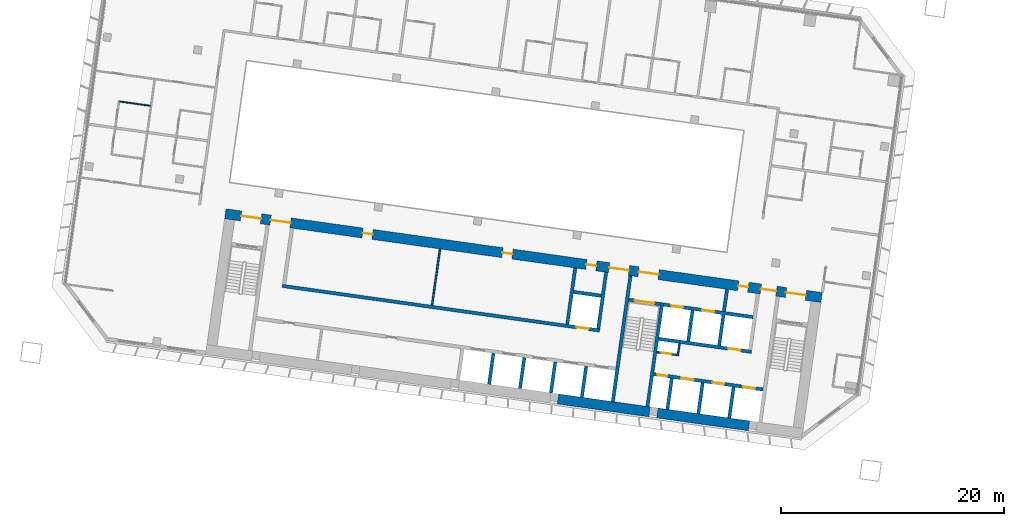
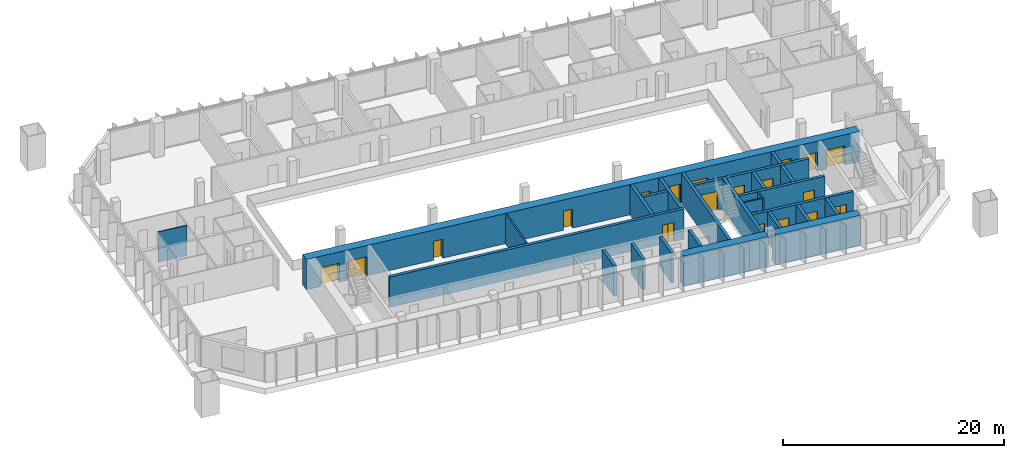
# One storey, part 15 of 24: 27 walls, 20 doors, 20 openings.
"""IFC4 building model written with IfcOpenShell, lengths in metres."""

from ifc_helpers import new_model, si_unit, direction, frame, frame_2d, origin, place, context, subcontext, project, spatial, rectangle, extrude, material, layer, layer_set, type_object, element, fill, save


model = new_model("IFC4")

# Units and contexts
model_context = context("Model", 3, precision=1e-05, world=origin(), true_north=direction((0.0, 1.0)))
body_context = subcontext(model_context, "Body", "Model", "MODEL_VIEW")
ifc_project = project(units=[si_unit("LENGTHUNIT", "METRE"), si_unit("AREAUNIT", "SQUARE_METRE"), si_unit("VOLUMEUNIT", "CUBIC_METRE"), si_unit("PLANEANGLEUNIT", "RADIAN"), si_unit("MASSUNIT", "GRAM", prefix="KILO")], contexts=[model_context])

# Site, building, storey
site_placement = place(None, origin())
site = spatial("IfcSite", under=ifc_project, at=site_placement, CompositionType="ELEMENT")
building_placement = place(site_placement, origin())
building = spatial("IfcBuilding", under=site, at=building_placement, Name="Mirante Cascada Hotel Towers", CompositionType="ELEMENT")
storey_placement = place(building_placement, frame((0.0, 0.0, 47.1)))
storey = spatial("IfcBuildingStorey", under=building, at=storey_placement, Name="L08", CompositionType="ELEMENT", Elevation=47.1)

# Wall
ifc_material_1 = material(Name="Masonry block", Category="masonry")
ifc_layer_1 = layer(ifc_material_1, 0.15)
ifc_layer_set_1 = layer_set([ifc_layer_1], Name="Core room partition 150 block EI 30")
wall_type_1 = type_object("IfcWallType", Name="Core room partition 150 block EI 30", PredefinedType="PARTITIONING", material=ifc_layer_set_1)
wall_1_placement = place(storey_placement, frame((-48.2295, -12.793, 0.0), z_axis=(0.0, 0.0, 1.0), x_axis=(0.1391935, 0.9902652, 0.0)))
element("IfcWall", 1, at=wall_1_placement, inside=storey, type_object=wall_type_1, Name="Core wall partition T1 L08 2", PredefinedType="PARTITIONING", context=body_context, shape_type="SweptSolid", body=[
    extrude(rectangle(XDim=1.1251, YDim=0.15, at=frame_2d((0.5626, 0.0))), origin(), (0.0, 0.0, 1.0), 3.35),
])

# Wall, opening, door
wall_2_placement = place(storey_placement, frame((-48.2933, -12.7083, 0.0), z_axis=(0.0, 0.0, 1.0), x_axis=(-0.990268, 0.1391734, 0.0)))
wall_2 = element("IfcWall", 2, at=wall_2_placement, inside=storey, type_object=wall_type_1, Name="Core wall partition T1 L08 3", PredefinedType="PARTITIONING", context=body_context, shape_type="SweptSolid", body=[
    extrude(rectangle(XDim=1.8251, YDim=0.15, at=frame_2d((0.9126, 0.0))), origin(), (0.0, 0.0, 1.0), 3.35),
])
opening_1_placement = place(wall_2_placement, frame((0.4625, 0.0, 0.0)))
opening_1 = element("IfcOpeningElement", 3, at=opening_1_placement, cuts=wall_2, Name="Opening D1-08-C23", PredefinedType="OPENING", context=body_context, shape_type="SweptSolid", body=[
    extrude(rectangle(XDim=0.9, YDim=2.1, at=frame_2d((0.45, 1.05))), frame((0.0, 0.075, 0.0), z_axis=(0.0, -1.0, 0.0), x_axis=(1.0, 0.0, 0.0)), (0.0, 0.0, 1.0), 0.15),
])
ifc_material_2 = material(Name="Hollow metal fire door leaf")
door_type_1 = type_object("IfcDoorType", Name="Fire door 900x2100 FD60", OperationType="NOTDEFINED", PredefinedType="DOOR", material=ifc_material_2)
door_1_placement = place(opening_1_placement, origin())
door_1 = element("IfcDoor", 4, at=door_1_placement, inside=storey, type_object=door_type_1, Name="Riser door T1 L08 23", OperationType="SINGLE_SWING_LEFT", OverallHeight=2.1, OverallWidth=0.9, PredefinedType="DOOR", context=body_context, shape_type="SweptSolid", body=[
    extrude(rectangle(XDim=0.9, YDim=2.1, at=frame_2d((0.45, 1.05))), frame((0.0, 0.025, 0.0), z_axis=(0.0, -1.0, 0.0), x_axis=(1.0, 0.0, 0.0)), (0.0, 0.0, 1.0), 0.05),
])
fill(opening_1, door_1)

# Walls
wall_3_placement = place(storey_placement, frame((-70.2627, -8.2574, 0.0), z_axis=(0.0, 0.0, 1.0), x_axis=(0.1391755, 0.9902677, 0.0)))
element("IfcWall", 5, at=wall_3_placement, inside=storey, type_object=wall_type_1, Name="Core wall partition T1 L08 5", PredefinedType="PARTITIONING", context=body_context, shape_type="SweptSolid", body=[
    extrude(rectangle(XDim=5.1, YDim=0.15, at=frame_2d((2.55, 0.0))), origin(), (0.0, 0.0, 1.0), 3.35),
])
ifc_material_3 = material(Name="Masonry block", Category="masonry")
ifc_layer_2 = layer(ifc_material_3, 0.3)
ifc_layer_set_2 = layer_set([ifc_layer_2], Name="Core wall 300 block EI 120")
wall_type_2 = type_object("IfcWallType", Name="Core wall 300 block EI 120", PredefinedType="PARTITIONING", material=ifc_layer_set_2)
wall_4_placement = place(storey_placement, frame((-44.0843, -8.8061, 0.0), z_axis=(0.0, 0.0, 1.0), x_axis=(0.1391951, 0.990265, 0.0)))
element("IfcWall", 6, at=wall_4_placement, inside=storey, type_object=wall_type_2, Name="Core wall partition T1 L08 1", PredefinedType="PARTITIONING", context=body_context, shape_type="SweptSolid", body=[
    extrude(rectangle(XDim=2.0001, YDim=0.3, at=frame_2d((1.0001, 0.0))), origin(), (0.0, 0.0, 1.0), 3.35),
])
ifc_material_4 = material(Name="Plasterboard on metal studs")
ifc_layer_3 = layer(ifc_material_4, 0.1)
ifc_layer_set_3 = layer_set([ifc_layer_3], Name="Partition 100")
wall_type_3 = type_object("IfcWallType", Name="Partition 100", PredefinedType="PARTITIONING", material=ifc_layer_set_3)
wall_5_placement = place(storey_placement, frame((-98.2916, 10.0213, 0.0), z_axis=(0.0, 0.0, 1.0), x_axis=(0.9902726, -0.139141, 0.0)))
element("IfcWall", 7, at=wall_5_placement, inside=storey, type_object=wall_type_3, Name="Wall 1-L08-12", PredefinedType="PARTITIONING", context=body_context, shape_type="SweptSolid", body=[
    extrude(rectangle(XDim=2.8, YDim=0.1, at=frame_2d((1.4, 0.0))), origin(), (0.0, 0.0, 1.0), 3.35),
])
ifc_material_5 = material(Name="Concrete C50/60", Category="concrete")
ifc_layer_4 = layer(ifc_material_5, 0.3)
ifc_layer_set_4 = layer_set([ifc_layer_4], Name="RC core wall 300 C50/60")
wall_type_4 = type_object("IfcWallType", Name="RC core wall 300 C50/60", PredefinedType="SHEAR", material=ifc_layer_set_4)
wall_6_placement = place(storey_placement, frame((-50.938, -17.3352, 0.0), z_axis=(0.0, 0.0, 1.0), x_axis=(0.1391706, 0.9902684, 0.0)))
element("IfcWall", 8, at=wall_6_placement, inside=storey, type_object=wall_type_4, Name="Core wall T1:L08:6", PredefinedType="SHEAR", context=body_context, shape_type="SweptSolid", body=[
    extrude(rectangle(XDim=9.4, YDim=0.3, at=frame_2d((4.7, 0.0))), origin(), (0.0, 0.0, 1.0), 3.35),
])
wall_7_placement = place(storey_placement, frame((-54.0574, -16.8968, 0.0), z_axis=(0.0, 0.0, 1.0), x_axis=(0.1391761, 0.9902677, 0.0)))
element("IfcWall", 9, at=wall_7_placement, inside=storey, type_object=wall_type_4, Name="Core wall T1:L08:7", PredefinedType="SHEAR", context=body_context, shape_type="SweptSolid", body=[
    extrude(rectangle(XDim=11.3999, YDim=0.3, at=frame_2d((5.7, 0.0))), origin(), (0.0, 0.0, 1.0), 3.35),
])

# Wall, opening, door
wall_8_placement = place(storey_placement, frame((-49.7992, -8.1544, 0.0), z_axis=(0.0, 0.0, 1.0), x_axis=(-0.9902656, 0.1391909, 0.0)))
wall_8 = element("IfcWall", 10, at=wall_8_placement, inside=storey, type_object=wall_type_4, Name="Core wall T1:L08:10", PredefinedType="SHEAR", context=body_context, shape_type="SweptSolid", body=[
    extrude(rectangle(XDim=2.85, YDim=0.3, at=frame_2d((1.425, 0.0))), origin(), (0.0, 0.0, 1.0), 3.35),
])
opening_2_placement = place(wall_8_placement, frame((0.525, 0.0, 0.0)))
opening_2 = element("IfcOpeningElement", 11, at=opening_2_placement, cuts=wall_8, Name="Opening D1-08-C15", PredefinedType="OPENING", context=body_context, shape_type="SweptSolid", body=[
    extrude(rectangle(XDim=1.8, YDim=2.1, at=frame_2d((0.9, 1.05))), frame((0.0, 0.15, 0.0), z_axis=(0.0, -1.0, 0.0), x_axis=(1.0, 0.0, 0.0)), (0.0, 0.0, 1.0), 0.3),
])
ifc_material_6 = material(Name="Hollow metal fire door leaf")
door_type_2 = type_object("IfcDoorType", Name="Double fire door 1800x2100 FD60", OperationType="DOUBLE_DOOR_SINGLE_SWING", PredefinedType="DOOR", material=ifc_material_6)
door_2_placement = place(opening_2_placement, origin())
door_2 = element("IfcDoor", 12, at=door_2_placement, inside=storey, type_object=door_type_2, Name="Stair door T1 L08 15", OperationType="DOUBLE_DOOR_SINGLE_SWING", OverallHeight=2.1, OverallWidth=1.8, PredefinedType="DOOR", context=body_context, shape_type="SweptSolid", body=[
    extrude(rectangle(XDim=0.895, YDim=2.1, at=frame_2d((0.4475, 1.05))), frame((0.0, 0.025, 0.0), z_axis=(0.0, -1.0, 0.0), x_axis=(1.0, 0.0, 0.0)), (0.0, 0.0, 1.0), 0.05),
    extrude(rectangle(XDim=0.895, YDim=2.1, at=frame_2d((1.3525, 1.05))), frame((0.0, 0.025, 0.0), z_axis=(0.0, -1.0, 0.0), x_axis=(1.0, 0.0, 0.0)), (0.0, 0.0, 1.0), 0.05),
])
fill(opening_2, door_2)

# Wall, openings, doors
wall_9_placement = place(storey_placement, frame((-40.5753, -15.8126, 0.0), z_axis=(0.0, 0.0, 1.0), x_axis=(-0.9902682, 0.1391725, 0.0)))
wall_9 = element("IfcWall", 13, at=wall_9_placement, inside=storey, type_object=wall_type_4, Name="Core wall T1:L08:12", PredefinedType="SHEAR", context=body_context, shape_type="SweptSolid", body=[
    extrude(rectangle(XDim=9.8999, YDim=0.3, at=frame_2d((4.95, 0.0))), origin(), (0.0, 0.0, 1.0), 3.35),
])
opening_3_placement = place(wall_9_placement, frame((0.7, 0.0, 0.0)))
opening_3 = element("IfcOpeningElement", 14, at=opening_3_placement, cuts=wall_9, Name="Opening LD", PredefinedType="OPENING", context=body_context, shape_type="SweptSolid", body=[
    extrude(rectangle(XDim=1.1, YDim=2.1, at=frame_2d((0.55, 1.05))), frame((0.0, 0.15, 0.0), z_axis=(0.0, -1.0, 0.0), x_axis=(1.0, 0.0, 0.0)), (0.0, 0.0, 1.0), 0.3),
])
opening_4_placement = place(wall_9_placement, frame((3.5, 0.0, 0.0)))
opening_4 = element("IfcOpeningElement", 15, at=opening_4_placement, cuts=wall_9, Name="Opening LD", PredefinedType="OPENING", context=body_context, shape_type="SweptSolid", body=[
    extrude(rectangle(XDim=1.1, YDim=2.1, at=frame_2d((0.55, 1.05))), frame((0.0, 0.15, 0.0), z_axis=(0.0, -1.0, 0.0), x_axis=(1.0, 0.0, 0.0)), (0.0, 0.0, 1.0), 0.3),
])
opening_5_placement = place(wall_9_placement, frame((6.3, 0.0, 0.0)))
opening_5 = element("IfcOpeningElement", 16, at=opening_5_placement, cuts=wall_9, Name="Opening LD", PredefinedType="OPENING", context=body_context, shape_type="SweptSolid", body=[
    extrude(rectangle(XDim=1.1, YDim=2.1, at=frame_2d((0.55, 1.05))), frame((0.0, 0.15, 0.0), z_axis=(0.0, -1.0, 0.0), x_axis=(1.0, 0.0, 0.0)), (0.0, 0.0, 1.0), 0.3),
])
opening_6_placement = place(wall_9_placement, frame((8.7, 0.0, 0.0)))
opening_6 = element("IfcOpeningElement", 17, at=opening_6_placement, cuts=wall_9, Name="Opening D1-08-C22", PredefinedType="OPENING", context=body_context, shape_type="SweptSolid", body=[
    extrude(rectangle(XDim=0.9, YDim=2.1, at=frame_2d((0.45, 1.05))), frame((0.0, 0.15, 0.0), z_axis=(0.0, -1.0, 0.0), x_axis=(1.0, 0.0, 0.0)), (0.0, 0.0, 1.0), 0.3),
])
door_3_placement = place(opening_6_placement, origin())
door_3 = element("IfcDoor", 18, at=door_3_placement, inside=storey, type_object=door_type_1, Name="Riser door T1 L08 22", OperationType="SINGLE_SWING_LEFT", OverallHeight=2.1, OverallWidth=0.9, PredefinedType="DOOR", context=body_context, shape_type="SweptSolid", body=[
    extrude(rectangle(XDim=0.9, YDim=2.1, at=frame_2d((0.45, 1.05))), frame((0.0, 0.025, 0.0), z_axis=(0.0, -1.0, 0.0), x_axis=(1.0, 0.0, 0.0)), (0.0, 0.0, 1.0), 0.05),
])
fill(opening_6, door_3)
ifc_material_7 = material(Name="Stainless steel", Category="steel")
door_type_3 = type_object("IfcDoorType", Name="Lift landing door 1100x2100 EI 120", OperationType="DOUBLE_DOOR_SLIDING", PredefinedType="DOOR", material=ifc_material_7)
door_4_placement = place(opening_3_placement, origin())
door_4 = element("IfcDoor", 19, at=door_4_placement, inside=storey, type_object=door_type_3, Name="Lift landing door HR1-1 L08", OperationType="DOUBLE_DOOR_SLIDING", OverallHeight=2.1, OverallWidth=1.1, PredefinedType="DOOR", context=body_context, shape_type="SweptSolid", body=[
    extrude(rectangle(XDim=0.545, YDim=2.1, at=frame_2d((0.2725, 1.05))), frame((0.0, 0.025, 0.0), z_axis=(0.0, -1.0, 0.0), x_axis=(1.0, 0.0, 0.0)), (0.0, 0.0, 1.0), 0.05),
    extrude(rectangle(XDim=0.545, YDim=2.1, at=frame_2d((0.8275, 1.05))), frame((0.0, 0.025, 0.0), z_axis=(0.0, -1.0, 0.0), x_axis=(1.0, 0.0, 0.0)), (0.0, 0.0, 1.0), 0.05),
])
fill(opening_3, door_4)
door_5_placement = place(opening_4_placement, origin())
door_5 = element("IfcDoor", 20, at=door_5_placement, inside=storey, type_object=door_type_3, Name="Lift landing door HR1-2 L08", OperationType="DOUBLE_DOOR_SLIDING", OverallHeight=2.1, OverallWidth=1.1, PredefinedType="DOOR", context=body_context, shape_type="SweptSolid", body=[
    extrude(rectangle(XDim=0.545, YDim=2.1, at=frame_2d((0.2725, 1.05))), frame((0.0, 0.025, 0.0), z_axis=(0.0, -1.0, 0.0), x_axis=(1.0, 0.0, 0.0)), (0.0, 0.0, 1.0), 0.05),
    extrude(rectangle(XDim=0.545, YDim=2.1, at=frame_2d((0.8275, 1.05))), frame((0.0, 0.025, 0.0), z_axis=(0.0, -1.0, 0.0), x_axis=(1.0, 0.0, 0.0)), (0.0, 0.0, 1.0), 0.05),
])
fill(opening_4, door_5)
door_6_placement = place(opening_5_placement, origin())
door_6 = element("IfcDoor", 21, at=door_6_placement, inside=storey, type_object=door_type_3, Name="Lift landing door HR1-3 L08", OperationType="DOUBLE_DOOR_SLIDING", OverallHeight=2.1, OverallWidth=1.1, PredefinedType="DOOR", context=body_context, shape_type="SweptSolid", body=[
    extrude(rectangle(XDim=0.545, YDim=2.1, at=frame_2d((0.2725, 1.05))), frame((0.0, 0.025, 0.0), z_axis=(0.0, -1.0, 0.0), x_axis=(1.0, 0.0, 0.0)), (0.0, 0.0, 1.0), 0.05),
    extrude(rectangle(XDim=0.545, YDim=2.1, at=frame_2d((0.8275, 1.05))), frame((0.0, 0.025, 0.0), z_axis=(0.0, -1.0, 0.0), x_axis=(1.0, 0.0, 0.0)), (0.0, 0.0, 1.0), 0.05),
])
fill(opening_5, door_6)

# Wall, opening, door
wall_10_placement = place(storey_placement, frame((-41.6153, -12.435, 0.0), z_axis=(0.0, 0.0, 1.0), x_axis=(-0.9902691, 0.139166, 0.0)))
wall_10 = element("IfcWall", 22, at=wall_10_placement, inside=storey, type_object=wall_type_4, Name="Core wall T1:L08:13", PredefinedType="SHEAR", context=body_context, shape_type="SweptSolid", body=[
    extrude(rectangle(XDim=8.4, YDim=0.3, at=frame_2d((4.2, 0.0))), origin(), (0.0, 0.0, 1.0), 3.35),
])
opening_7_placement = place(wall_10_placement, frame((1.0, 0.0, 0.0)))
opening_7 = element("IfcOpeningElement", 23, at=opening_7_placement, cuts=wall_10, Name="Opening LD", PredefinedType="OPENING", context=body_context, shape_type="SweptSolid", body=[
    extrude(rectangle(XDim=1.1, YDim=2.1, at=frame_2d((0.55, 1.05))), frame((0.0, 0.15, 0.0), z_axis=(0.0, -1.0, 0.0), x_axis=(1.0, 0.0, 0.0)), (0.0, 0.0, 1.0), 0.3),
])
door_7_placement = place(opening_7_placement, origin())
door_7 = element("IfcDoor", 24, at=door_7_placement, inside=storey, type_object=door_type_3, Name="Lift landing door HR1-4 L08", OperationType="DOUBLE_DOOR_SLIDING", OverallHeight=2.1, OverallWidth=1.1, PredefinedType="DOOR", context=body_context, shape_type="SweptSolid", body=[
    extrude(rectangle(XDim=0.545, YDim=2.1, at=frame_2d((0.2725, 1.05))), frame((0.0, 0.025, 0.0), z_axis=(0.0, -1.0, 0.0), x_axis=(1.0, 0.0, 0.0)), (0.0, 0.0, 1.0), 0.05),
    extrude(rectangle(XDim=0.545, YDim=2.1, at=frame_2d((0.8275, 1.05))), frame((0.0, 0.025, 0.0), z_axis=(0.0, -1.0, 0.0), x_axis=(1.0, 0.0, 0.0)), (0.0, 0.0, 1.0), 0.05),
])
fill(opening_7, door_7)

# Wall, openings, doors
wall_11_placement = place(storey_placement, frame((-41.481, -9.3234, 0.0), z_axis=(0.0, 0.0, 1.0), x_axis=(-0.9902679, 0.1391741, 0.0)))
wall_11 = element("IfcWall", 25, at=wall_11_placement, inside=storey, type_object=wall_type_4, Name="Core wall T1:L08:14", PredefinedType="SHEAR", context=body_context, shape_type="SweptSolid", body=[
    extrude(rectangle(XDim=8.0999, YDim=0.3, at=frame_2d((4.05, 0.0))), origin(), (0.0, 0.0, 1.0), 3.35),
])
opening_8_placement = place(wall_11_placement, frame((3.5, 0.0, 0.0)))
opening_8 = element("IfcOpeningElement", 26, at=opening_8_placement, cuts=wall_11, Name="Opening LD", PredefinedType="OPENING", context=body_context, shape_type="SweptSolid", body=[
    extrude(rectangle(XDim=1.1, YDim=2.1, at=frame_2d((0.55, 1.05))), frame((0.0, 0.15, 0.0), z_axis=(0.0, -1.0, 0.0), x_axis=(1.0, 0.0, 0.0)), (0.0, 0.0, 1.0), 0.3),
])
opening_9_placement = place(wall_11_placement, frame((6.3, 0.0, 0.0)))
opening_9 = element("IfcOpeningElement", 27, at=opening_9_placement, cuts=wall_11, Name="Opening LD", PredefinedType="OPENING", context=body_context, shape_type="SweptSolid", body=[
    extrude(rectangle(XDim=1.1, YDim=2.1, at=frame_2d((0.55, 1.05))), frame((0.0, 0.15, 0.0), z_axis=(0.0, -1.0, 0.0), x_axis=(1.0, 0.0, 0.0)), (0.0, 0.0, 1.0), 0.3),
])
door_8_placement = place(opening_8_placement, origin())
door_8 = element("IfcDoor", 28, at=door_8_placement, inside=storey, type_object=door_type_3, Name="Lift landing door FF1 L08", OperationType="DOUBLE_DOOR_SLIDING", OverallHeight=2.1, OverallWidth=1.1, PredefinedType="DOOR", context=body_context, shape_type="SweptSolid", body=[
    extrude(rectangle(XDim=0.545, YDim=2.1, at=frame_2d((0.2725, 1.05))), frame((0.0, 0.025, 0.0), z_axis=(0.0, -1.0, 0.0), x_axis=(1.0, 0.0, 0.0)), (0.0, 0.0, 1.0), 0.05),
    extrude(rectangle(XDim=0.545, YDim=2.1, at=frame_2d((0.8275, 1.05))), frame((0.0, 0.025, 0.0), z_axis=(0.0, -1.0, 0.0), x_axis=(1.0, 0.0, 0.0)), (0.0, 0.0, 1.0), 0.05),
])
fill(opening_8, door_8)
door_9_placement = place(opening_9_placement, origin())
door_9 = element("IfcDoor", 29, at=door_9_placement, inside=storey, type_object=door_type_3, Name="Lift landing door FF2 L08", OperationType="DOUBLE_DOOR_SLIDING", OverallHeight=2.1, OverallWidth=1.1, PredefinedType="DOOR", context=body_context, shape_type="SweptSolid", body=[
    extrude(rectangle(XDim=0.545, YDim=2.1, at=frame_2d((0.2725, 1.05))), frame((0.0, 0.025, 0.0), z_axis=(0.0, -1.0, 0.0), x_axis=(1.0, 0.0, 0.0)), (0.0, 0.0, 1.0), 0.05),
    extrude(rectangle(XDim=0.545, YDim=2.1, at=frame_2d((0.8275, 1.05))), frame((0.0, 0.025, 0.0), z_axis=(0.0, -1.0, 0.0), x_axis=(1.0, 0.0, 0.0)), (0.0, 0.0, 1.0), 0.05),
])
fill(opening_9, door_9)

# Walls
wall_12_placement = place(storey_placement, frame((-43.61, -18.3651, 0.0), z_axis=(0.0, 0.0, 1.0), x_axis=(0.1391459, 0.9902719, 0.0)))
element("IfcWall", 30, at=wall_12_placement, inside=storey, type_object=wall_type_4, Name="Core wall T1:L08:15", PredefinedType="SHEAR", context=body_context, shape_type="SweptSolid", body=[
    extrude(rectangle(XDim=2.7999, YDim=0.3, at=frame_2d((1.4, 0.0))), origin(), (0.0, 0.0, 1.0), 3.35),
])
wall_13_placement = place(storey_placement, frame((-46.3828, -17.9754, 0.0), z_axis=(0.0, 0.0, 1.0), x_axis=(0.139181, 0.990267, 0.0)))
element("IfcWall", 31, at=wall_13_placement, inside=storey, type_object=wall_type_4, Name="Core wall T1:L08:16", PredefinedType="SHEAR", context=body_context, shape_type="SweptSolid", body=[
    extrude(rectangle(XDim=2.8, YDim=0.3, at=frame_2d((1.4, 0.0))), origin(), (0.0, 0.0, 1.0), 3.35),
])
wall_14_placement = place(storey_placement, frame((-49.1555, -17.5857, 0.0), z_axis=(0.0, 0.0, 1.0), x_axis=(0.1391459, 0.9902719, 0.0)))
element("IfcWall", 32, at=wall_14_placement, inside=storey, type_object=wall_type_4, Name="Core wall T1:L08:17", PredefinedType="SHEAR", context=body_context, shape_type="SweptSolid", body=[
    extrude(rectangle(XDim=2.7999, YDim=0.3, at=frame_2d((1.4, 0.0))), origin(), (0.0, 0.0, 1.0), 3.35),
])
for number, where, z_axis, x_axis, name in (
    (33, (-44.5157, -11.8759, 0.0), (0.0, 0.0, 1.0), (0.139181, 0.990267, 0.0), "Core wall T1:L08:18"),
    (34, (-47.2885, -11.4862, 0.0), (0.0, 0.0, 1.0), (0.139181, 0.990267, 0.0), "Core wall T1:L08:19"),
):
    element("IfcWall", number, at=place(storey_placement, frame(where, z_axis=z_axis, x_axis=x_axis)), inside=storey, type_object=wall_type_4, Name=name, PredefinedType="SHEAR", context=body_context, shape_type="SweptSolid", body=[
        extrude(rectangle(XDim=2.8, YDim=0.3, at=frame_2d((1.4, 0.0))), origin(), (0.0, 0.0, 1.0), 3.35),
    ])
for number, where, z_axis, x_axis, name in (
    (35, (-56.8301, -16.5072, 0.0), (0.0, 0.0, 1.0), (0.139176, 0.9902677, 0.0), "Core wall T1:L08:25"),
    (36, (-59.6029, -16.1175, 0.0), (0.0, 0.0, 1.0), (0.139176, 0.9902677, 0.0), "Core wall T1:L08:26"),
    (37, (-62.3756, -15.7278, 0.0), (0.0, 0.0, 1.0), (0.139176, 0.9902677, 0.0), "Core wall T1:L08:27"),
    (38, (-65.1484, -15.3381, 0.0), (0.0, 0.0, 1.0), (0.139176, 0.9902677, 0.0), "Core wall T1:L08:28"),
):
    element("IfcWall", number, at=place(storey_placement, frame(where, z_axis=z_axis, x_axis=x_axis)), inside=storey, type_object=wall_type_4, Name=name, PredefinedType="SHEAR", context=body_context, shape_type="SweptSolid", body=[
        extrude(rectangle(XDim=2.8001, YDim=0.3, at=frame_2d((1.4, 0.0))), origin(), (0.0, 0.0, 1.0), 3.35),
    ])

# Wall, opening, door
wall_15_placement = place(storey_placement, frame((-55.2315, -10.5214, 0.0), z_axis=(0.0, 0.0, 1.0), x_axis=(-0.9902682, 0.1391722, 0.0)))
wall_15 = element("IfcWall", 39, at=wall_15_placement, inside=storey, type_object=wall_type_4, Name="Core wall T1:L08:31", PredefinedType="SHEAR", context=body_context, shape_type="SweptSolid", body=[
    extrude(rectangle(XDim=28.75, YDim=0.3, at=frame_2d((14.375, 0.0))), origin(), (0.0, 0.0, 1.0), 3.35),
])
opening_10_placement = place(wall_15_placement, frame((1.0, 0.0, 0.0)))
opening_10 = element("IfcOpeningElement", 40, at=opening_10_placement, cuts=wall_15, Name="Opening LD", PredefinedType="OPENING", context=body_context, shape_type="SweptSolid", body=[
    extrude(rectangle(XDim=1.1, YDim=2.1, at=frame_2d((0.55, 1.05))), frame((0.0, 0.15, 0.0), z_axis=(0.0, -1.0, 0.0), x_axis=(1.0, 0.0, 0.0)), (0.0, 0.0, 1.0), 0.3),
])
door_10_placement = place(opening_10_placement, origin())
door_10 = element("IfcDoor", 41, at=door_10_placement, inside=storey, type_object=door_type_3, Name="Lift landing door LR1-3 L08", OperationType="DOUBLE_DOOR_SLIDING", OverallHeight=2.1, OverallWidth=1.1, PredefinedType="DOOR", context=body_context, shape_type="SweptSolid", body=[
    extrude(rectangle(XDim=0.545, YDim=2.1, at=frame_2d((0.2725, 1.05))), frame((0.0, 0.025, 0.0), z_axis=(0.0, -1.0, 0.0), x_axis=(1.0, 0.0, 0.0)), (0.0, 0.0, 1.0), 0.05),
    extrude(rectangle(XDim=0.545, YDim=2.1, at=frame_2d((0.8275, 1.05))), frame((0.0, 0.025, 0.0), z_axis=(0.0, -1.0, 0.0), x_axis=(1.0, 0.0, 0.0)), (0.0, 0.0, 1.0), 0.05),
])
fill(opening_10, door_10)

# Walls
for number, where, z_axis, x_axis, name in (
    (42, (-55.3592, -10.352, 0.0), (0.0, 0.0, 1.0), (0.1391755, 0.9902677, 0.0), "Core wall T1:L08:32"),
    (43, (-58.1319, -9.9623, 0.0), (0.0, 0.0, 1.0), (0.1391755, 0.9902677, 0.0), "Core wall T1:L08:34"),
):
    element("IfcWall", number, at=place(storey_placement, frame(where, z_axis=z_axis, x_axis=x_axis)), inside=storey, type_object=wall_type_4, Name=name, PredefinedType="SHEAR", context=body_context, shape_type="SweptSolid", body=[
        extrude(rectangle(XDim=5.1, YDim=0.3, at=frame_2d((2.55, 0.0))), origin(), (0.0, 0.0, 1.0), 3.35),
    ])
wall_16_placement = place(storey_placement, frame((-55.0971, -7.4098, 0.0), z_axis=(0.0, 0.0, 1.0), x_axis=(-0.9902701, 0.1391586, 0.0)))
element("IfcWall", 44, at=wall_16_placement, inside=storey, type_object=wall_type_4, Name="Core wall T1:L08:35", PredefinedType="SHEAR", context=body_context, shape_type="SweptSolid", body=[
    extrude(rectangle(XDim=2.5, YDim=0.3, at=frame_2d((1.25, 0.0))), origin(), (0.0, 0.0, 1.0), 3.35),
])
ifc_material_8 = material(Name="Concrete C50/60", Category="concrete")
ifc_layer_5 = layer(ifc_material_8, 0.9)
ifc_layer_set_5 = layer_set([ifc_layer_5], Name="RC core wall 900 C50/60")
wall_type_5 = type_object("IfcWallType", Name="RC core wall 900 C50/60", PredefinedType="SHEAR", material=ifc_layer_set_5)
for number, where, z_axis, x_axis, name in (
    (45, (-41.8407, -19.0682, 0.0), (0.0, 0.0, 1.0), (-0.9902686, 0.1391692, 0.0), "Core wall T1:L08:1.2"),
    (46, (-50.7531, -17.8156, 0.0), (0.0, 0.0, 1.0), (-0.9902686, 0.1391692, 0.0), "Core wall T1:L08:1.3"),
):
    element("IfcWall", number, at=place(storey_placement, frame(where, z_axis=z_axis, x_axis=x_axis)), inside=storey, type_object=wall_type_5, Name=name, PredefinedType="SHEAR", context=body_context, shape_type="SweptSolid", body=[
        extrude(rectangle(XDim=8.3, YDim=0.9, at=frame_2d((4.15, 0.0))), origin(), (0.0, 0.0, 1.0), 3.35),
    ])

# Wall, openings, doors
wall_17_placement = place(storey_placement, frame((-35.326, -7.5629, 0.0), z_axis=(0.0, 0.0, 1.0), x_axis=(-0.9902679, 0.139174, 0.0)))
wall_17 = element("IfcWall", 47, at=wall_17_placement, inside=storey, type_object=wall_type_5, Name="Core wall T1:L08:2", PredefinedType="SHEAR", context=body_context, shape_type="SweptSolid", body=[
    extrude(rectangle(XDim=54.0, YDim=0.9, at=frame_2d((27.0, 0.0))), origin(), (0.0, 0.0, 1.0), 3.35),
])
opening_11_placement = place(wall_17_placement, frame((1.425, 0.0, 0.0)))
opening_11 = element("IfcOpeningElement", 48, at=opening_11_placement, cuts=wall_17, Name="Opening D1-08-C14", PredefinedType="OPENING", context=body_context, shape_type="SweptSolid", body=[
    extrude(rectangle(XDim=1.8, YDim=2.1, at=frame_2d((0.9, 1.05))), frame((0.0, 0.45, 0.0), z_axis=(0.0, -1.0, 0.0), x_axis=(1.0, 0.0, 0.0)), (0.0, 0.0, 1.0), 0.9),
])
opening_12_placement = place(wall_17_placement, frame((14.775, 0.0, 0.0)))
opening_12 = element("IfcOpeningElement", 49, at=opening_12_placement, cuts=wall_17, Name="Opening D1-08-C16", PredefinedType="OPENING", context=body_context, shape_type="SweptSolid", body=[
    extrude(rectangle(XDim=1.8, YDim=2.1, at=frame_2d((0.9, 1.05))), frame((0.0, 0.45, 0.0), z_axis=(0.0, -1.0, 0.0), x_axis=(1.0, 0.0, 0.0)), (0.0, 0.0, 1.0), 0.9),
])
opening_13_placement = place(wall_17_placement, frame((50.775, 0.0, 0.0)))
opening_13 = element("IfcOpeningElement", 50, at=opening_13_placement, cuts=wall_17, Name="Opening D1-08-C18", PredefinedType="OPENING", context=body_context, shape_type="SweptSolid", body=[
    extrude(rectangle(XDim=1.8, YDim=2.1, at=frame_2d((0.9, 1.05))), frame((0.0, 0.45, 0.0), z_axis=(0.0, -1.0, 0.0), x_axis=(1.0, 0.0, 0.0)), (0.0, 0.0, 1.0), 0.9),
])
opening_14_placement = place(wall_17_placement, frame((4.1, 0.0, 0.0)))
opening_14 = element("IfcOpeningElement", 51, at=opening_14_placement, cuts=wall_17, Name="Opening D1-08-C19", PredefinedType="OPENING", context=body_context, shape_type="SweptSolid", body=[
    extrude(rectangle(XDim=1.4, YDim=2.1, at=frame_2d((0.7, 1.05))), frame((0.0, 0.45, 0.0), z_axis=(0.0, -1.0, 0.0), x_axis=(1.0, 0.0, 0.0)), (0.0, 0.0, 1.0), 0.9),
])
opening_15_placement = place(wall_17_placement, frame((17.45, 0.0, 0.0)))
opening_15 = element("IfcOpeningElement", 52, at=opening_15_placement, cuts=wall_17, Name="Opening D1-08-C20", PredefinedType="OPENING", context=body_context, shape_type="SweptSolid", body=[
    extrude(rectangle(XDim=1.8, YDim=2.1, at=frame_2d((0.9, 1.05))), frame((0.0, 0.45, 0.0), z_axis=(0.0, -1.0, 0.0), x_axis=(1.0, 0.0, 0.0)), (0.0, 0.0, 1.0), 0.9),
])
opening_16_placement = place(wall_17_placement, frame((48.1, 0.0, 0.0)))
opening_16 = element("IfcOpeningElement", 53, at=opening_16_placement, cuts=wall_17, Name="Opening D1-08-C21", PredefinedType="OPENING", context=body_context, shape_type="SweptSolid", body=[
    extrude(rectangle(XDim=1.8, YDim=2.1, at=frame_2d((0.9, 1.05))), frame((0.0, 0.45, 0.0), z_axis=(0.0, -1.0, 0.0), x_axis=(1.0, 0.0, 0.0)), (0.0, 0.0, 1.0), 0.9),
])
opening_17_placement = place(wall_17_placement, frame((6.65, 0.0, 0.0)))
opening_17 = element("IfcOpeningElement", 54, at=opening_17_placement, cuts=wall_17, Name="Opening D1-08-C24", PredefinedType="OPENING", context=body_context, shape_type="SweptSolid", body=[
    extrude(rectangle(XDim=0.9, YDim=2.1, at=frame_2d((0.45, 1.05))), frame((0.0, 0.45, 0.0), z_axis=(0.0, -1.0, 0.0), x_axis=(1.0, 0.0, 0.0)), (0.0, 0.0, 1.0), 0.9),
])
opening_18_placement = place(wall_17_placement, frame((20.4, 0.0, 0.0)))
opening_18 = element("IfcOpeningElement", 55, at=opening_18_placement, cuts=wall_17, Name="Opening D1-08-C27", PredefinedType="OPENING", context=body_context, shape_type="SweptSolid", body=[
    extrude(rectangle(XDim=0.9, YDim=2.1, at=frame_2d((0.45, 1.05))), frame((0.0, 0.45, 0.0), z_axis=(0.0, -1.0, 0.0), x_axis=(1.0, 0.0, 0.0)), (0.0, 0.0, 1.0), 0.9),
])
opening_19_placement = place(wall_17_placement, frame((28.0, 0.0, 0.0)))
opening_19 = element("IfcOpeningElement", 56, at=opening_19_placement, cuts=wall_17, Name="Opening D1-08-C28", PredefinedType="OPENING", context=body_context, shape_type="SweptSolid", body=[
    extrude(rectangle(XDim=0.9, YDim=2.1, at=frame_2d((0.45, 1.05))), frame((0.0, 0.45, 0.0), z_axis=(0.0, -1.0, 0.0), x_axis=(1.0, 0.0, 0.0)), (0.0, 0.0, 1.0), 0.9),
])
opening_20_placement = place(wall_17_placement, frame((40.675, 0.0, 0.0)))
opening_20 = element("IfcOpeningElement", 57, at=opening_20_placement, cuts=wall_17, Name="Opening D1-08-C29", PredefinedType="OPENING", context=body_context, shape_type="SweptSolid", body=[
    extrude(rectangle(XDim=0.9, YDim=2.1, at=frame_2d((0.45, 1.05))), frame((0.0, 0.45, 0.0), z_axis=(0.0, -1.0, 0.0), x_axis=(1.0, 0.0, 0.0)), (0.0, 0.0, 1.0), 0.9),
])
ifc_material_9 = material(Name="Hollow metal fire door leaf")
door_type_4 = type_object("IfcDoorType", Name="Double fire door 1400x2100 FD60", OperationType="DOUBLE_DOOR_SINGLE_SWING", PredefinedType="DOOR", material=ifc_material_9)
door_11_placement = place(opening_14_placement, frame((1.4, 0.0, 0.0), z_axis=(0.0, 0.0, 1.0), x_axis=(-1.0, 0.0, 0.0)))
door_11 = element("IfcDoor", 58, at=door_11_placement, inside=storey, type_object=door_type_4, Name="Exit door to gallery T1 L08 19", OperationType="DOUBLE_DOOR_SINGLE_SWING", OverallHeight=2.1, OverallWidth=1.4, PredefinedType="DOOR", context=body_context, shape_type="SweptSolid", body=[
    extrude(rectangle(XDim=0.695, YDim=2.1, at=frame_2d((0.3475, 1.05))), frame((0.0, 0.025, 0.0), z_axis=(0.0, -1.0, 0.0), x_axis=(1.0, 0.0, 0.0)), (0.0, 0.0, 1.0), 0.05),
    extrude(rectangle(XDim=0.695, YDim=2.1, at=frame_2d((1.0525, 1.05))), frame((0.0, 0.025, 0.0), z_axis=(0.0, -1.0, 0.0), x_axis=(1.0, 0.0, 0.0)), (0.0, 0.0, 1.0), 0.05),
])
fill(opening_14, door_11)
door_12_placement = place(opening_11_placement, origin())
door_12 = element("IfcDoor", 59, at=door_12_placement, inside=storey, type_object=door_type_2, Name="Exit door to gallery T1 L08 14", OperationType="DOUBLE_DOOR_SINGLE_SWING", OverallHeight=2.1, OverallWidth=1.8, PredefinedType="DOOR", context=body_context, shape_type="SweptSolid", body=[
    extrude(rectangle(XDim=0.895, YDim=2.1, at=frame_2d((0.4475, 1.05))), frame((0.0, 0.025, 0.0), z_axis=(0.0, -1.0, 0.0), x_axis=(1.0, 0.0, 0.0)), (0.0, 0.0, 1.0), 0.05),
    extrude(rectangle(XDim=0.895, YDim=2.1, at=frame_2d((1.3525, 1.05))), frame((0.0, 0.025, 0.0), z_axis=(0.0, -1.0, 0.0), x_axis=(1.0, 0.0, 0.0)), (0.0, 0.0, 1.0), 0.05),
])
fill(opening_11, door_12)
door_13_placement = place(opening_12_placement, origin())
door_13 = element("IfcDoor", 60, at=door_13_placement, inside=storey, type_object=door_type_2, Name="Exit door to gallery T1 L08 16", OperationType="DOUBLE_DOOR_SINGLE_SWING", OverallHeight=2.1, OverallWidth=1.8, PredefinedType="DOOR", context=body_context, shape_type="SweptSolid", body=[
    extrude(rectangle(XDim=0.895, YDim=2.1, at=frame_2d((0.4475, 1.05))), frame((0.0, 0.025, 0.0), z_axis=(0.0, -1.0, 0.0), x_axis=(1.0, 0.0, 0.0)), (0.0, 0.0, 1.0), 0.05),
    extrude(rectangle(XDim=0.895, YDim=2.1, at=frame_2d((1.3525, 1.05))), frame((0.0, 0.025, 0.0), z_axis=(0.0, -1.0, 0.0), x_axis=(1.0, 0.0, 0.0)), (0.0, 0.0, 1.0), 0.05),
])
fill(opening_12, door_13)
door_14_placement = place(opening_13_placement, origin())
door_14 = element("IfcDoor", 61, at=door_14_placement, inside=storey, type_object=door_type_2, Name="Exit door to gallery T1 L08 18", OperationType="DOUBLE_DOOR_SINGLE_SWING", OverallHeight=2.1, OverallWidth=1.8, PredefinedType="DOOR", context=body_context, shape_type="SweptSolid", body=[
    extrude(rectangle(XDim=0.895, YDim=2.1, at=frame_2d((0.4475, 1.05))), frame((0.0, 0.025, 0.0), z_axis=(0.0, -1.0, 0.0), x_axis=(1.0, 0.0, 0.0)), (0.0, 0.0, 1.0), 0.05),
    extrude(rectangle(XDim=0.895, YDim=2.1, at=frame_2d((1.3525, 1.05))), frame((0.0, 0.025, 0.0), z_axis=(0.0, -1.0, 0.0), x_axis=(1.0, 0.0, 0.0)), (0.0, 0.0, 1.0), 0.05),
])
fill(opening_13, door_14)
door_15_placement = place(opening_15_placement, frame((1.8, 0.0, 0.0), z_axis=(0.0, 0.0, 1.0), x_axis=(-1.0, 0.0, 0.0)))
door_15 = element("IfcDoor", 62, at=door_15_placement, inside=storey, type_object=door_type_2, Name="Exit door to gallery T1 L08 20", OperationType="DOUBLE_DOOR_SINGLE_SWING", OverallHeight=2.1, OverallWidth=1.8, PredefinedType="DOOR", context=body_context, shape_type="SweptSolid", body=[
    extrude(rectangle(XDim=0.895, YDim=2.1, at=frame_2d((0.4475, 1.05))), frame((0.0, 0.025, 0.0), z_axis=(0.0, -1.0, 0.0), x_axis=(1.0, 0.0, 0.0)), (0.0, 0.0, 1.0), 0.05),
    extrude(rectangle(XDim=0.895, YDim=2.1, at=frame_2d((1.3525, 1.05))), frame((0.0, 0.025, 0.0), z_axis=(0.0, -1.0, 0.0), x_axis=(1.0, 0.0, 0.0)), (0.0, 0.0, 1.0), 0.05),
])
fill(opening_15, door_15)
door_16_placement = place(opening_16_placement, frame((1.8, 0.0, 0.0), z_axis=(0.0, 0.0, 1.0), x_axis=(-1.0, 0.0, 0.0)))
door_16 = element("IfcDoor", 63, at=door_16_placement, inside=storey, type_object=door_type_2, Name="Exit door to gallery T1 L08 21", OperationType="DOUBLE_DOOR_SINGLE_SWING", OverallHeight=2.1, OverallWidth=1.8, PredefinedType="DOOR", context=body_context, shape_type="SweptSolid", body=[
    extrude(rectangle(XDim=0.895, YDim=2.1, at=frame_2d((0.4475, 1.05))), frame((0.0, 0.025, 0.0), z_axis=(0.0, -1.0, 0.0), x_axis=(1.0, 0.0, 0.0)), (0.0, 0.0, 1.0), 0.05),
    extrude(rectangle(XDim=0.895, YDim=2.1, at=frame_2d((1.3525, 1.05))), frame((0.0, 0.025, 0.0), z_axis=(0.0, -1.0, 0.0), x_axis=(1.0, 0.0, 0.0)), (0.0, 0.0, 1.0), 0.05),
])
fill(opening_16, door_16)
door_17_placement = place(opening_17_placement, origin())
door_17 = element("IfcDoor", 64, at=door_17_placement, inside=storey, type_object=door_type_1, Name="Room door T1 L08 24", OperationType="SINGLE_SWING_RIGHT", OverallHeight=2.1, OverallWidth=0.9, PredefinedType="DOOR", context=body_context, shape_type="SweptSolid", body=[
    extrude(rectangle(XDim=0.9, YDim=2.1, at=frame_2d((0.45, 1.05))), frame((0.0, 0.025, 0.0), z_axis=(0.0, -1.0, 0.0), x_axis=(1.0, 0.0, 0.0)), (0.0, 0.0, 1.0), 0.05),
])
fill(opening_17, door_17)
door_18_placement = place(opening_18_placement, origin())
door_18 = element("IfcDoor", 65, at=door_18_placement, inside=storey, type_object=door_type_1, Name="Room door T1 L08 27", OperationType="SINGLE_SWING_RIGHT", OverallHeight=2.1, OverallWidth=0.9, PredefinedType="DOOR", context=body_context, shape_type="SweptSolid", body=[
    extrude(rectangle(XDim=0.9, YDim=2.1, at=frame_2d((0.45, 1.05))), frame((0.0, 0.025, 0.0), z_axis=(0.0, -1.0, 0.0), x_axis=(1.0, 0.0, 0.0)), (0.0, 0.0, 1.0), 0.05),
])
fill(opening_18, door_18)
door_19_placement = place(opening_19_placement, origin())
door_19 = element("IfcDoor", 66, at=door_19_placement, inside=storey, type_object=door_type_1, Name="Room door T1 L08 28", OperationType="SINGLE_SWING_LEFT", OverallHeight=2.1, OverallWidth=0.9, PredefinedType="DOOR", context=body_context, shape_type="SweptSolid", body=[
    extrude(rectangle(XDim=0.9, YDim=2.1, at=frame_2d((0.45, 1.05))), frame((0.0, 0.025, 0.0), z_axis=(0.0, -1.0, 0.0), x_axis=(1.0, 0.0, 0.0)), (0.0, 0.0, 1.0), 0.05),
])
fill(opening_19, door_19)
door_20_placement = place(opening_20_placement, origin())
door_20 = element("IfcDoor", 67, at=door_20_placement, inside=storey, type_object=door_type_1, Name="Room door T1 L08 29", OperationType="SINGLE_SWING_LEFT", OverallHeight=2.1, OverallWidth=0.9, PredefinedType="DOOR", context=body_context, shape_type="SweptSolid", body=[
    extrude(rectangle(XDim=0.9, YDim=2.1, at=frame_2d((0.45, 1.05))), frame((0.0, 0.025, 0.0), z_axis=(0.0, -1.0, 0.0), x_axis=(1.0, 0.0, 0.0)), (0.0, 0.0, 1.0), 0.05),
])
fill(opening_20, door_20)

save(model, "model.ifc")
